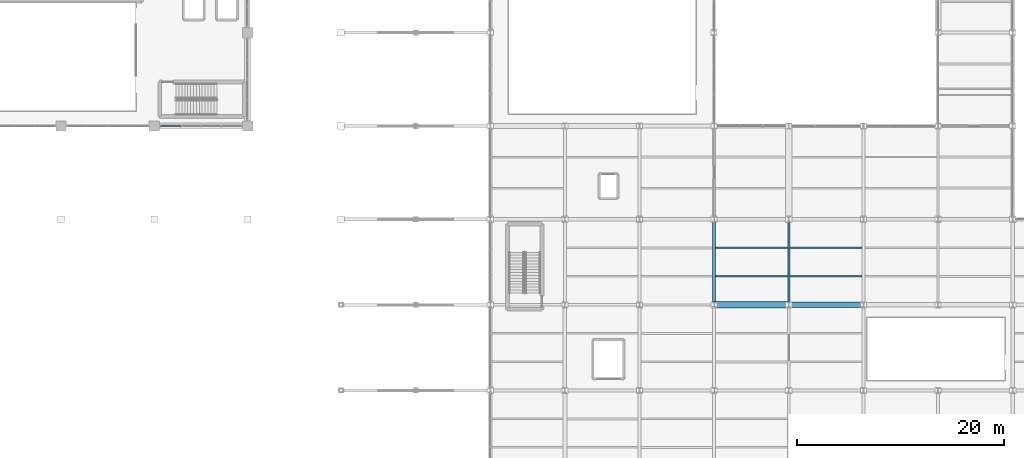
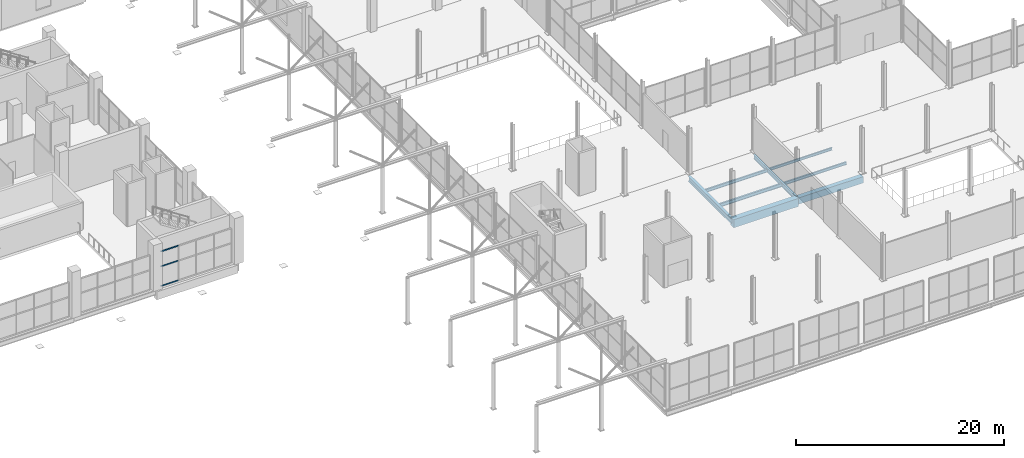
# One storey, part 33 of 147: 8 beams, 3 members, 1 element without a shape of its own.
"""IFC4 building model written with IfcOpenShell, lengths in metres."""

from ifc_helpers import new_model, si_unit, direction, frame, origin, origin_2d, place, context, subcontext, project, spatial, rectangle, hollow_rectangle, i_section, extrude, material, layer, layer_set, material_profile, profile_set, type_object, element, aggregate, save


model = new_model("IFC4")

# Units and contexts
model_context = context("Model", 3, precision=1e-05, world=origin(), true_north=direction((0.0, 1.0)))
body_context = subcontext(model_context, "Body", "Model", "MODEL_VIEW")
ifc_project = project(units=[si_unit("LENGTHUNIT", "METRE"), si_unit("AREAUNIT", "SQUARE_METRE"), si_unit("VOLUMEUNIT", "CUBIC_METRE"), si_unit("PLANEANGLEUNIT", "RADIAN"), si_unit("MASSUNIT", "GRAM", prefix="KILO")], contexts=[model_context])

# Site, building, storey
site_placement = place(None, origin())
site = spatial("IfcSite", under=ifc_project, at=site_placement, CompositionType="ELEMENT")
building_placement = place(site_placement, origin())
building = spatial("IfcBuilding", under=site, at=building_placement, Name="Sundgate Opera House", CompositionType="ELEMENT")
storey_placement = place(building_placement, frame((0.0, 0.0, 6.0)))
storey = spatial("IfcBuildingStorey", under=building, at=storey_placement, Name="L01", CompositionType="ELEMENT", Elevation=6.0)

# Beams
ifc_material_1 = material(Name="Steel S355J2", Category="steel")
ifc_material_profile_1 = material_profile(ifc_material_1, i_section(OverallWidth=0.300048828125, OverallDepth=0.60009765625, WebThickness=0.015380859375, FlangeThickness=0.030029296875, at=origin_2d()), Name="HEB 600")
ifc_profile_set_1 = profile_set([ifc_material_profile_1], Name="Steel S355J2")
beam_type_1 = type_object("IfcBeamType", Name="BM-GR-HEB600", PredefinedType="BEAM", material=ifc_profile_set_1)
beam_1_placement = place(storey_placement, frame((117.0, 24.75, -0.60009765625), z_axis=(0.0, 1.0, 0.0), x_axis=(-1.0, 0.0, 0.0)))
element("IfcBeam", 1, at=beam_1_placement, inside=storey, type_object=beam_type_1, Name="L01 Primary N-S Girder B1184", PredefinedType="BEAM", context=body_context, shape_type="SweptSolid", body=[
    extrude(i_section(OverallWidth=0.300048828125, OverallDepth=0.60009765625, WebThickness=0.015380859375, FlangeThickness=0.030029296875, at=origin_2d()), origin(), (0.0, 0.0, 1.0), 8.25),
])
ifc_material_2 = material(Name="Steel S355J2", Category="steel")
ifc_material_profile_2 = material_profile(ifc_material_2, i_section(OverallWidth=0.199951171875, OverallDepth=0.5, WebThickness=0.01025390625, FlangeThickness=0.01611328125, at=origin_2d()), Name="IPE 500")
ifc_profile_set_2 = profile_set([ifc_material_profile_2], Name="Steel S355J2")
beam_type_2 = type_object("IfcBeamType", Name="BM-GR-IPE500", PredefinedType="BEAM", material=ifc_profile_set_2)
beam_2_placement = place(storey_placement, frame((124.199951171875, 24.75, -0.550048828125), z_axis=(0.0, 1.0, 0.0), x_axis=(-1.0, 0.0, 0.0)))
element("IfcBeam", 2, at=beam_2_placement, inside=storey, type_object=beam_type_2, Name="L01 Primary N-S Girder B1198", PredefinedType="BEAM", context=body_context, shape_type="SweptSolid", body=[
    extrude(i_section(OverallWidth=0.199951171875, OverallDepth=0.5, WebThickness=0.01025390625, FlangeThickness=0.01611328125, at=origin_2d()), origin(), (0.0, 0.0, 1.0), 8.25),
])
ifc_material_3 = material(Name="Steel S355J2", Category="steel")
ifc_material_profile_3 = material_profile(ifc_material_3, i_section(OverallWidth=0.14990234375, OverallDepth=0.300048828125, WebThickness=0.007080078125, FlangeThickness=0.0107421875, at=origin_2d()), Name="IPE 300")
ifc_profile_set_3 = profile_set([ifc_material_profile_3], Name="Steel S355J2")
beam_type_3 = type_object("IfcBeamType", Name="BM-JS-IPE300", PredefinedType="JOIST", material=ifc_profile_set_3)
beam_3_placement = place(storey_placement, frame((124.300048828125, 30.25, -0.449951171875), z_axis=(1.0, 0.0, 0.0), x_axis=(0.0, 1.0, 0.0)))
element("IfcBeam", 3, at=beam_3_placement, inside=storey, type_object=beam_type_3, Name="L01 Secondary Floor Joist B1544", PredefinedType="JOIST", context=body_context, shape_type="SweptSolid", body=[
    extrude(i_section(OverallWidth=0.14990234375, OverallDepth=0.300048828125, WebThickness=0.007080078125, FlangeThickness=0.0107421875, at=origin_2d()), origin(), (0.0, 0.0, 1.0), 6.949951171875),
])
ifc_material_4 = material(Name="Steel S355J2", Category="steel")
ifc_material_profile_4 = material_profile(ifc_material_4, i_section(OverallWidth=0.159912109375, OverallDepth=0.330078125, WebThickness=0.007568359375, FlangeThickness=0.011474609375, at=origin_2d()), Name="IPE 330")
ifc_profile_set_4 = profile_set([ifc_material_profile_4], Name="Steel S355J2")
beam_type_4 = type_object("IfcBeamType", Name="BM-JS-IPE330", PredefinedType="JOIST", material=ifc_profile_set_4)
beam_4_placement = place(storey_placement, frame((124.300048828125, 27.5, -0.465087890625), z_axis=(1.0, 0.0, 0.0), x_axis=(0.0, 1.0, 0.0)))
element("IfcBeam", 4, at=beam_4_placement, inside=storey, type_object=beam_type_4, Name="L01 Secondary Floor Joist B1543", PredefinedType="JOIST", context=body_context, shape_type="SweptSolid", body=[
    extrude(i_section(OverallWidth=0.159912109375, OverallDepth=0.330078125, WebThickness=0.007568359375, FlangeThickness=0.011474609375, at=origin_2d()), origin(), (0.0, 0.0, 1.0), 6.949951171875),
])
ifc_material_5 = material(Name="Steel S355J2", Category="steel")
ifc_material_profile_5 = material_profile(ifc_material_5, i_section(OverallWidth=0.169921875, OverallDepth=0.360107421875, WebThickness=0.008056640625, FlangeThickness=0.0126953125, at=origin_2d()), Name="IPE 360")
ifc_profile_set_5 = profile_set([ifc_material_profile_5], Name="Steel S355J2")
beam_type_5 = type_object("IfcBeamType", Name="BM-JS-IPE360", PredefinedType="JOIST", material=ifc_profile_set_5)
beam_5_placement = place(storey_placement, frame((117.14990234375, 30.25, -0.47998046875), z_axis=(1.0, 0.0, 0.0), x_axis=(0.0, 1.0, 0.0)))
element("IfcBeam", 5, at=beam_5_placement, inside=storey, type_object=beam_type_5, Name="L01 Secondary Floor Joist B1542", PredefinedType="JOIST", context=body_context, shape_type="SweptSolid", body=[
    extrude(i_section(OverallWidth=0.169921875, OverallDepth=0.360107421875, WebThickness=0.008056640625, FlangeThickness=0.0126953125, at=origin_2d()), origin(), (0.0, 0.0, 1.0), 6.9501953125),
])
ifc_material_6 = material(Name="Steel S355J2", Category="steel")
ifc_material_profile_6 = material_profile(ifc_material_6, i_section(OverallWidth=0.179931640625, OverallDepth=0.39990234375, WebThickness=0.008544921875, FlangeThickness=0.013427734375, at=origin_2d()), Name="IPE 400")
ifc_profile_set_6 = profile_set([ifc_material_profile_6], Name="Steel S355J2")
beam_type_6 = type_object("IfcBeamType", Name="BM-JS-IPE400", PredefinedType="JOIST", material=ifc_profile_set_6)
beam_6_placement = place(storey_placement, frame((117.14990234375, 27.5, -0.5), z_axis=(1.0, 0.0, 0.0), x_axis=(0.0, 1.0, 0.0)))
element("IfcBeam", 6, at=beam_6_placement, inside=storey, type_object=beam_type_6, Name="L01 Secondary Floor Joist B1541", PredefinedType="JOIST", context=body_context, shape_type="SweptSolid", body=[
    extrude(i_section(OverallWidth=0.179931640625, OverallDepth=0.39990234375, WebThickness=0.008544921875, FlangeThickness=0.013427734375, at=origin_2d()), origin(), (0.0, 0.0, 1.0), 6.9501953125),
])
ifc_material_7 = material(Name="Concrete C40/50", Category="concrete")
ifc_material_profile_7 = material_profile(ifc_material_7, rectangle(XDim=0.5, YDim=0.75, at=origin_2d()), Name="RC 500x750")
ifc_profile_set_7 = profile_set([ifc_material_profile_7], Name="Concrete C40/50")
beam_type_7 = type_object("IfcBeamType", Name="BM-RC-500x750", PredefinedType="BEAM", material=ifc_profile_set_7)
beam_7_placement = place(storey_placement, frame((124.199951171875, 24.75, -0.675048828125), z_axis=(1.0, 0.0, 0.0), x_axis=(0.0, 1.0, 0.0)))
element("IfcBeam", 7, at=beam_7_placement, inside=storey, type_object=beam_type_7, Name="L01 Primary E-W Girder B1310", PredefinedType="BEAM", context=body_context, shape_type="SweptSolid", body=[
    extrude(rectangle(XDim=0.5, YDim=0.75, at=origin_2d()), origin(), (0.0, 0.0, 1.0), 7.199951171875),
])
ifc_material_8 = material(Name="Concrete C40/50", Category="concrete")
ifc_material_profile_8 = material_profile(ifc_material_8, rectangle(XDim=0.60009765625, YDim=0.949951171875, at=origin_2d()), Name="RC 600x950")
ifc_profile_set_8 = profile_set([ifc_material_profile_8], Name="Concrete C40/50")
beam_type_8 = type_object("IfcBeamType", Name="BM-RC-600x950", PredefinedType="BEAM", material=ifc_profile_set_8)
beam_8_placement = place(storey_placement, frame((117.0, 24.75, -0.77490234375), z_axis=(1.0, 0.0, 0.0), x_axis=(0.0, 1.0, 0.0)))
element("IfcBeam", 8, at=beam_8_placement, inside=storey, type_object=beam_type_8, Name="L01 Primary E-W Girder B1309", PredefinedType="BEAM", context=body_context, shape_type="SweptSolid", body=[
    extrude(rectangle(XDim=0.60009765625, YDim=0.949951171875, at=origin_2d()), origin(), (0.0, 0.0, 1.0), 7.199951171875),
])

# Curtain wall, members
ifc_material_9 = material(Name="Anodized aluminium and low-iron glass", Category="aluminium")
ifc_layer = layer(ifc_material_9, 0.179931640625)
ifc_layer_set = layer_set([ifc_layer], Name="Anodized aluminium and low-iron glass")
curtain_wall_type = type_object("IfcCurtainWallType", Name="CW-FOYER-GLASS", PredefinedType="NOTDEFINED", material=ifc_layer_set)
curtain_wall_placement = place(storey_placement, origin())
curtain_wall = element("IfcCurtainWall", 9, at=curtain_wall_placement, inside=storey, type_object=curtain_wall_type, Name="L01 Curtain Wall CW014", PredefinedType="NOTDEFINED")
ifc_material_10 = material(Name="Anodized aluminium EN AW-6063", Category="aluminium")
ifc_material_profile_9 = material_profile(ifc_material_10, hollow_rectangle(XDim=0.06005859375, YDim=0.139892578125, WallThickness=0.00390625, at=origin_2d()), Name="CWT 140x60x4")
ifc_profile_set_9 = profile_set([ifc_material_profile_9], Name="Anodized aluminium EN AW-6063")
member_type = type_object("IfcMemberType", Name="CWT-ALU-140x60", PredefinedType="USERDEFINED", material=ifc_profile_set_9)
member_1_placement = place(storey_placement, frame((65.550048828125, 42.0, 0.0), z_axis=(-1.0, 0.0, 0.0), x_axis=(0.0, -1.0, 0.0)))
member_1 = element("IfcMember", 10, at=member_1_placement, type_object=member_type, Name="CW014 Transom 10", ObjectType="TRANSOM", PredefinedType="USERDEFINED", context=body_context, shape_type="SweptSolid", body=[
    extrude(hollow_rectangle(XDim=0.06005859375, YDim=0.139892578125, WallThickness=0.00390625, at=origin_2d()), origin(), (0.0, 0.0, 1.0), 1.949951171875),
])
member_2_placement = place(storey_placement, frame((65.550048828125, 42.0, 2.300048828125), z_axis=(-1.0, 0.0, 0.0), x_axis=(0.0, -1.0, 0.0)))
member_2 = element("IfcMember", 11, at=member_2_placement, type_object=member_type, Name="CW014 Transom 11", ObjectType="TRANSOM", PredefinedType="USERDEFINED", context=body_context, shape_type="SweptSolid", body=[
    extrude(hollow_rectangle(XDim=0.06005859375, YDim=0.139892578125, WallThickness=0.00390625, at=origin_2d()), origin(), (0.0, 0.0, 1.0), 1.949951171875),
])
member_3_placement = place(storey_placement, frame((65.550048828125, 42.0, 4.044921875), z_axis=(-1.0, 0.0, 0.0), x_axis=(0.0, -1.0, 0.0)))
member_3 = element("IfcMember", 12, at=member_3_placement, type_object=member_type, Name="CW014 Transom 12", ObjectType="TRANSOM", PredefinedType="USERDEFINED", context=body_context, shape_type="SweptSolid", body=[
    extrude(hollow_rectangle(XDim=0.06005859375, YDim=0.139892578125, WallThickness=0.00390625, at=origin_2d()), origin(), (0.0, 0.0, 1.0), 1.949951171875),
])
aggregate(curtain_wall, [member_1, member_2, member_3])

save(model, "model.ifc")
